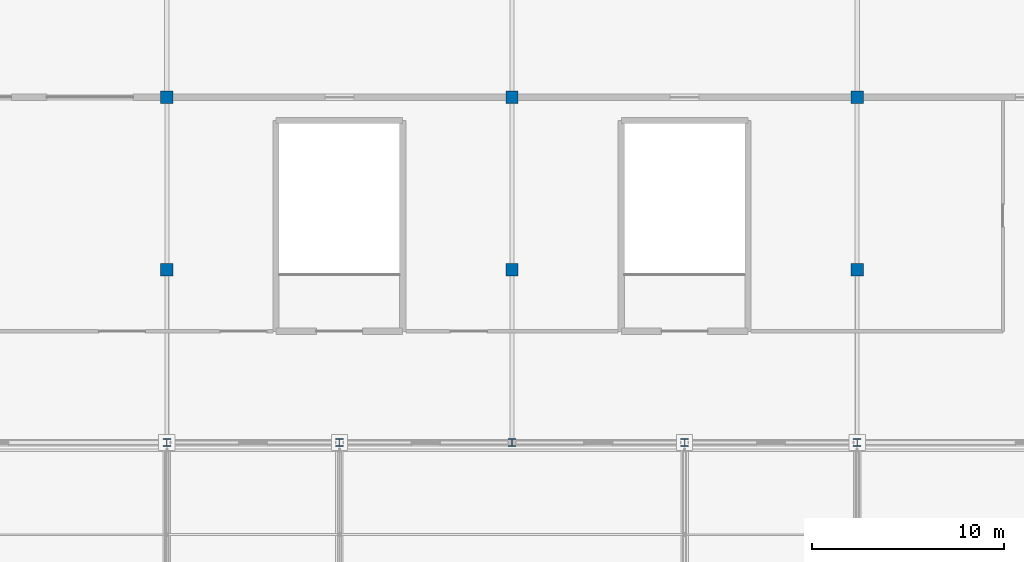
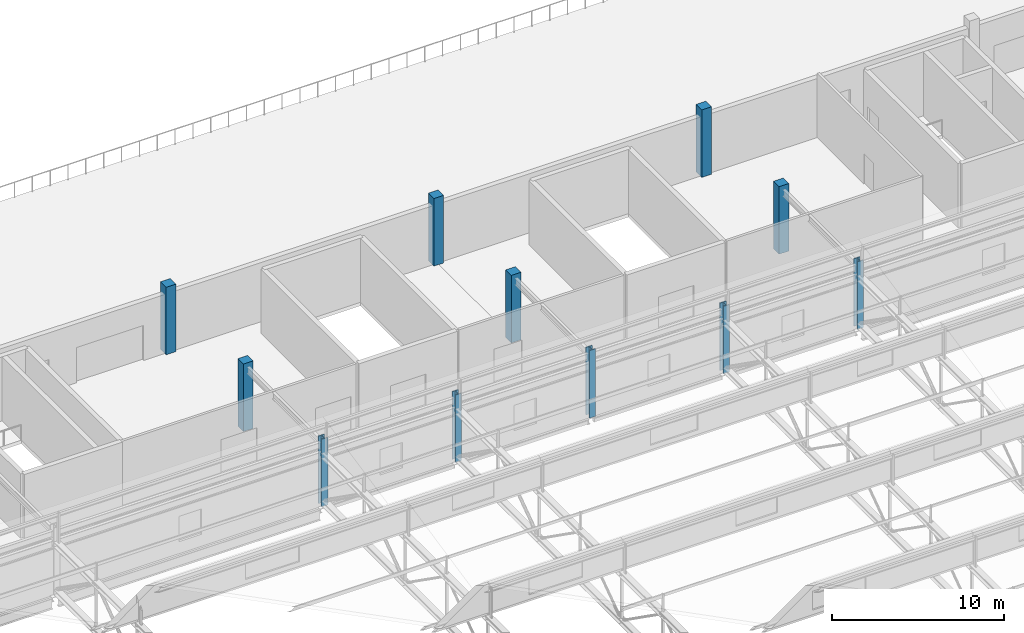
# One storey, part 6 of 136: 11 columns.
"""IFC4 building model written with IfcOpenShell, lengths in metres."""

from ifc_helpers import new_model, si_unit, direction, frame, origin, origin_2d, place, context, subcontext, project, spatial, rectangle, i_section, extrude, material, material_profile, profile_set, type_object, element, save


model = new_model("IFC4")

# Units and contexts
model_context = context("Model", 3, precision=1e-05, world=origin(), true_north=direction((0.0, 1.0)))
body_context = subcontext(model_context, "Body", "Model", "MODEL_VIEW")
ifc_project = project(units=[si_unit("LENGTHUNIT", "METRE"), si_unit("AREAUNIT", "SQUARE_METRE"), si_unit("VOLUMEUNIT", "CUBIC_METRE"), si_unit("PLANEANGLEUNIT", "RADIAN"), si_unit("MASSUNIT", "GRAM", prefix="KILO")], contexts=[model_context])

# Site, building, storey
site_placement = place(None, origin())
site = spatial("IfcSite", under=ifc_project, at=site_placement, CompositionType="ELEMENT")
building_placement = place(site_placement, origin())
building = spatial("IfcBuilding", under=site, at=building_placement, Name="Kisiwana Market Hall", CompositionType="ELEMENT")
storey_placement = place(building_placement, frame((0.0, 0.0, 16.800048828125)))
storey = spatial("IfcBuildingStorey", under=building, at=storey_placement, Name="L03", CompositionType="ELEMENT", Elevation=16.800048828125)

# Columns
ifc_material_1 = material(Name="Concrete C40/50", Category="concrete")
ifc_material_profile_1 = material_profile(ifc_material_1, rectangle(XDim=0.64990234375, YDim=0.64990234375, at=origin_2d()), Name="RC 650x650")
ifc_profile_set_1 = profile_set([ifc_material_profile_1], Name="Concrete C40/50")
column_type_1 = type_object("IfcColumnType", Name="COL-RC-POD-650", PredefinedType="COLUMN", material=ifc_profile_set_1)
for number, where, z_axis, x_axis, name in (
    (1, (81.0, 93.0, 0.0), (0.0, 0.0, 1.0), (1.0, 0.0, 0.0), "Column M/10 (L03) C-0715"),
    (2, (81.0, 102.0, 0.0), (0.0, 0.0, 1.0), (1.0, 0.0, 0.0), "Column N/10 (L03) C-0716"),
    (3, (99.0, 93.0, 0.0), (0.0, 0.0, 1.0), (1.0, 0.0, 0.0), "Column M/12 (L03) C-0723"),
    (4, (99.0, 102.0, 0.0), (0.0, 0.0, 1.0), (1.0, 0.0, 0.0), "Column N/12 (L03) C-0724"),
    (5, (117.0, 93.0, 0.0), (0.0, 0.0, 1.0), (1.0, 0.0, 0.0), "Column M/14 (L03) C-0731"),
    (6, (117.0, 102.0, 0.0), (0.0, 0.0, 1.0), (1.0, 0.0, 0.0), "Column N/14 (L03) C-0732"),
):
    element("IfcColumn", number, at=place(storey_placement, frame(where, z_axis=z_axis, x_axis=x_axis)), inside=storey, type_object=column_type_1, Name=name, PredefinedType="COLUMN", context=body_context, shape_type="SweptSolid", body=[
        extrude(rectangle(XDim=0.64990234375, YDim=0.64990234375, at=origin_2d()), origin(), (0.0, 0.0, 1.0), 4.800048828125),
    ])
ifc_material_2 = material(Name="Steel S355", Category="steel")
ifc_material_profile_2 = material_profile(ifc_material_2, i_section(OverallWidth=0.412109375, OverallDepth=0.43505859375, WebThickness=0.035888671875, FlangeThickness=0.05810546875, at=origin_2d()), Name="HD 400x463")
ifc_profile_set_2 = profile_set([ifc_material_profile_2], Name="Steel S355")
column_type_2 = type_object("IfcColumnType", Name="COL-STL-HD463", PredefinedType="COLUMN", material=ifc_profile_set_2)
for number, where, z_axis, x_axis, name in (
    (7, (81.0, 84.0, 0.0), (0.0, 0.0, 1.0), (1.0, 0.0, 0.0), "Column L/10 (L03) C-0714"),
    (8, (90.0, 84.0, 0.0), (0.0, 0.0, 1.0), (1.0, 0.0, 0.0), "Column L/11 (L03) C-0718"),
    (9, (99.0, 84.0, 0.0), (0.0, 0.0, 1.0), (1.0, 0.0, 0.0), "Column L/12 (L03) C-0722"),
    (10, (108.0, 84.0, 0.0), (0.0, 0.0, 1.0), (1.0, 0.0, 0.0), "Column L/13 (L03) C-0726"),
    (11, (117.0, 84.0, 0.0), (0.0, 0.0, 1.0), (1.0, 0.0, 0.0), "Column L/14 (L03) C-0730"),
):
    element("IfcColumn", number, at=place(storey_placement, frame(where, z_axis=z_axis, x_axis=x_axis)), inside=storey, type_object=column_type_2, Name=name, PredefinedType="COLUMN", context=body_context, shape_type="SweptSolid", body=[
        extrude(i_section(OverallWidth=0.412109375, OverallDepth=0.43505859375, WebThickness=0.035888671875, FlangeThickness=0.05810546875, at=origin_2d()), origin(), (0.0, 0.0, 1.0), 4.800048828125),
    ])

save(model, "model.ifc")
